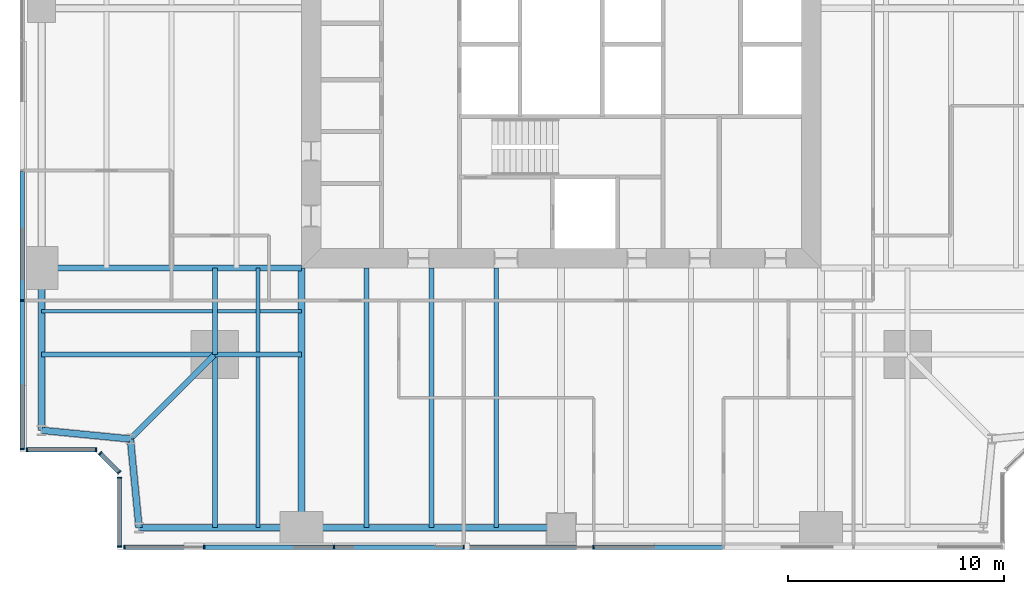
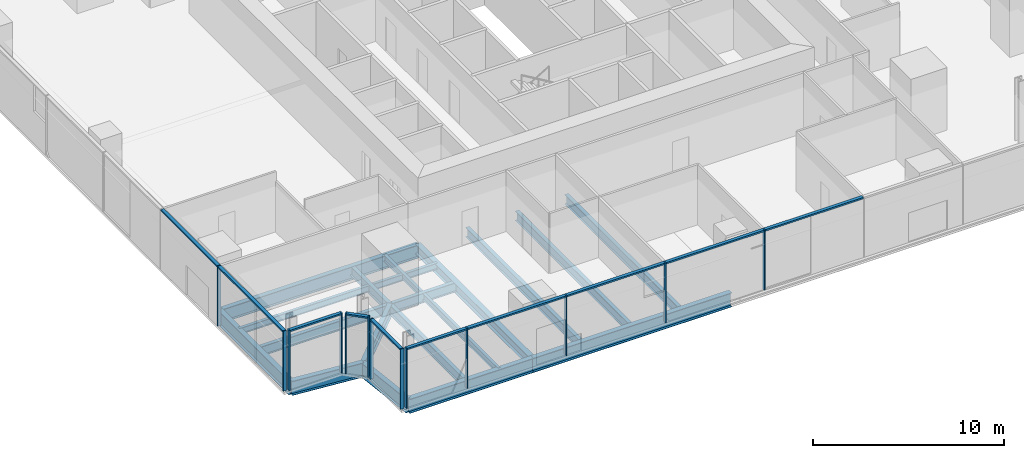
# One storey, part 2 of 14: 23 members, 20 beams, 5 elements without a shape of their own.
"""IFC4 building model written with IfcOpenShell, lengths in metres."""

import ifcopenshell
import ifcopenshell.guid

model = None  # the IFC model being written
_history = None  # IfcOwnerHistory: only IFC2X3 demands one
_inside = {}  # id of a spatial element -> (the spatial element, [elements in it])
_under = {}  # id of a project, library or spatial element -> (it, [spatial elements below it])
_declared = {}  # id of a project -> (the project, [libraries it declares])
_typed = {}  # id of a type object -> (the type object, [elements of that type])
_made_of = {}  # id of a material, layer set ... -> (it, [elements and type objects made of it])


def new_model(schema):
    """Start an empty IFC model of exactly this schema.

    Asked for "IFC4X3", IfcOpenShell would pick the latest addendum, in which some entities
    have other attributes; the version numbers below select the first issue.
    IFC2X3 requires an IfcOwnerHistory on every rooted entity: one is made here for all.
    """
    global model, _history
    if schema == "IFC4X3":
        model = ifcopenshell.file(schema_version=(4, 3, 0, 0))
    else:
        model = ifcopenshell.file(schema=schema)
    _inside.clear()
    _under.clear()
    _declared.clear()
    _typed.clear()
    _made_of.clear()
    _history = None
    if model.schema == "IFC2X3":
        org = make("IfcOrganization", Name="unknown")
        user = make(
            "IfcPersonAndOrganization",
            ThePerson=make("IfcPerson", FamilyName="unknown"),
            TheOrganization=org,
        )
        app = make(
            "IfcApplication",
            ApplicationDeveloper=org,
            Version="unknown",
            ApplicationFullName="unknown",
            ApplicationIdentifier="unknown",
        )
        _history = make(
            "IfcOwnerHistory",
            OwningUser=user,
            OwningApplication=app,
            ChangeAction="ADDED",
            CreationDate=0,
        )
    return model


def make(cls, **values):
    """One entity of the class cls with the attributes given. An attribute that is None is left unset."""
    return model.create_entity(
        cls, **{name: value for name, value in values.items() if value is not None}
    )


def rooted(cls, **values):
    """An entity with a GlobalId (a new one), such as an element, a storey or a relation."""
    return make(cls, GlobalId=ifcopenshell.guid.new(), OwnerHistory=_history, **values)


def si_unit(unit_type, name, prefix=None):
    """IfcSIUnit, for example si_unit("LENGTHUNIT", "METRE", prefix="MILLI")."""
    return make("IfcSIUnit", UnitType=unit_type, Prefix=prefix, Name=name)


def assignment(units):
    """IfcUnitAssignment: the units of a project."""
    return None if units is None else make("IfcUnitAssignment", Units=units)


def point(xyz):
    """IfcCartesianPoint."""
    return None if xyz is None else make("IfcCartesianPoint", Coordinates=xyz)


def direction(xyz):
    """IfcDirection."""
    return None if xyz is None else make("IfcDirection", DirectionRatios=xyz)


def frame(location, z_axis=None, x_axis=None):
    """IfcAxis2Placement3D, a coordinate frame: its origin and axes. An axis left out is left unset."""
    return make(
        "IfcAxis2Placement3D",
        Location=point(location),
        Axis=direction(z_axis),
        RefDirection=direction(x_axis),
    )


def frame_2d(location, x_axis=None):
    """IfcAxis2Placement2D, a coordinate frame in the plane: its origin and x axis."""
    return make(
        "IfcAxis2Placement2D", Location=point(location), RefDirection=direction(x_axis)
    )


def origin():
    """The frame at (0, 0, 0) with its axes left unset."""
    return frame((0.0, 0.0, 0.0))


def origin_2d():
    """The frame at (0, 0) in the plane with its x axis left unset."""
    return frame_2d((0.0, 0.0))


def place(relative_to, where):
    """IfcLocalPlacement: puts the frame where relative to a parent placement (None: the world)."""
    return make(
        "IfcLocalPlacement", PlacementRelTo=relative_to, RelativePlacement=where
    )


def context(
    kind, dimensions, precision=None, world=None, true_north=None, identifier=None
):
    """IfcGeometricRepresentationContext, for example the 3D "Model" context."""
    return make(
        "IfcGeometricRepresentationContext",
        ContextIdentifier=identifier,
        ContextType=kind,
        CoordinateSpaceDimension=dimensions,
        Precision=precision,
        WorldCoordinateSystem=world,
        TrueNorth=true_north,
    )


def subcontext(parent, identifier, kind, view, scale=None):
    """IfcGeometricRepresentationSubContext, for example "Body" below "Model"."""
    return make(
        "IfcGeometricRepresentationSubContext",
        ContextIdentifier=identifier,
        ContextType=kind,
        ParentContext=parent,
        TargetScale=scale,
        TargetView=view,
    )


def project(units=None, contexts=None):
    """IfcProject with its units and contexts."""
    return rooted(
        "IfcProject",
        Name="project",
        RepresentationContexts=contexts,
        UnitsInContext=assignment(units),
    )


def spatial(cls, under=None, at=None, **own):
    """A site, building, storey or space (cls), placed at a placement, below another one or the project."""
    s = rooted(cls, ObjectPlacement=at, **own)
    if under is not None:
        _under.setdefault(under.id(), (under, []))[1].append(s)
    return s


def profile(cls, at=None, kind="AREA", **sizes):
    """A parametric profile (cls). Its sizes go by their IFC names, for example OverallWidth=200.0."""
    return make(cls, ProfileType=kind, Position=at, **sizes)


def rectangle(**sizes):
    """IfcRectangleProfileDef."""
    return profile("IfcRectangleProfileDef", **sizes)


def i_section(**sizes):
    """IfcIShapeProfileDef."""
    return profile("IfcIShapeProfileDef", **sizes)


def extrude(swept, where, along, depth):
    """IfcExtrudedAreaSolid: the profile swept, set in the frame where, extruded along a direction by depth."""
    return make(
        "IfcExtrudedAreaSolid",
        SweptArea=swept,
        Position=where,
        ExtrudedDirection=direction(along),
        Depth=depth,
    )


def shape(context_of_items, identifier, shape_type, items):
    """IfcShapeRepresentation: the items that make up one representation, for example the "Body"."""
    return make(
        "IfcShapeRepresentation",
        ContextOfItems=context_of_items,
        RepresentationIdentifier=identifier,
        RepresentationType=shape_type,
        Items=items,
    )


def material(Name=None, Category=None):
    """IfcMaterial."""
    return make("IfcMaterial", Name=Name, Category=Category)


def material_profile(
    of_material, cross_section, Name=None, Category=None, Priority=None
):
    """IfcMaterialProfile: a cross section and its material."""
    return make(
        "IfcMaterialProfile",
        Name=Name,
        Material=of_material,
        Profile=cross_section,
        Priority=Priority,
        Category=Category,
    )


def profile_set(profiles, Name=None, composite=None):
    """IfcMaterialProfileSet."""
    return make(
        "IfcMaterialProfileSet",
        Name=Name,
        MaterialProfiles=profiles,
        CompositeProfile=composite,
    )


def made_of(thing, what):
    """Note that an element or type object is made of a material, layer set ...; save() writes the relation."""
    if what is not None:
        _made_of.setdefault(what.id(), (what, []))[1].append(thing)
    return thing


def type_object(cls, material=None, **own):
    """A type object (cls), such as IfcWallType, which elements share."""
    return made_of(rooted(cls, **own), material)


def element(
    cls,
    number,
    at=None,
    inside=None,
    cuts=None,
    type_object=None,
    material=None,
    context=None,
    identifier="Body",
    shape_type=None,
    held_by="IfcProductDefinitionShape",
    body=None,
    shapes=None,
    **own,
):
    """One element of the class cls, such as IfcWall. Its Tag is "e" and its number.

    at: its placement. inside: the storey or other place that contains it. cuts: it is an
    opening in that element (IfcRelVoidsElement). A single representation is given by context,
    identifier, shape_type and body (its items); several are given by shapes. held_by: the class
    of the entity that holds the representations. save() writes the other relations.
    """
    e = rooted(cls, Tag="e%d" % number, ObjectPlacement=at, **own)
    if body is not None:
        shapes = [shape(context, identifier, shape_type, body)]
    if shapes is not None:
        e.Representation = make(held_by, Representations=shapes)
    if inside is not None:
        _inside.setdefault(inside.id(), (inside, []))[1].append(e)
    if cuts is not None:
        rooted(
            "IfcRelVoidsElement", RelatingBuildingElement=cuts, RelatedOpeningElement=e
        )
    if type_object is not None:
        _typed.setdefault(type_object.id(), (type_object, []))[1].append(e)
    return made_of(e, material)


def aggregate(whole, parts):
    """IfcRelAggregates: a whole, such as a stair, and the parts it consists of."""
    return rooted("IfcRelAggregates", RelatingObject=whole, RelatedObjects=parts)


def save(model, path):
    """Write the relations noted so far, then the file.

    IfcRelAggregates (storeys below a building ...), IfcRelContainedInSpatialStructure (elements
    in a storey), IfcRelDefinesByType, IfcRelAssociatesMaterial and IfcRelDeclares: one each for
    every whole, place, type object, material and project.
    """
    for whole, parts in _under.values():
        aggregate(whole, parts)
    for where, things in _inside.values():
        rooted(
            "IfcRelContainedInSpatialStructure",
            RelatedElements=things,
            RelatingStructure=where,
        )
    for kind, things in _typed.values():
        rooted("IfcRelDefinesByType", RelatedObjects=things, RelatingType=kind)
    for what, things in _made_of.values():
        rooted("IfcRelAssociatesMaterial", RelatedObjects=things, RelatingMaterial=what)
    for by, libraries in _declared.values():
        rooted("IfcRelDeclares", RelatingContext=by, RelatedDefinitions=libraries)
    model.write(path)


model = new_model("IFC4")

# Units and contexts
model_context = context("Model", 3, precision=1e-05, world=origin(), true_north=direction((0.0, 1.0)))
body_context = subcontext(model_context, "Body", "Model", "MODEL_VIEW")
ifc_project = project(units=[si_unit("LENGTHUNIT", "METRE"), si_unit("AREAUNIT", "SQUARE_METRE"), si_unit("VOLUMEUNIT", "CUBIC_METRE"), si_unit("PLANEANGLEUNIT", "RADIAN"), si_unit("MASSUNIT", "GRAM", prefix="KILO")], contexts=[model_context])

# Site, building, storey
site_placement = place(None, origin())
site = spatial("IfcSite", under=ifc_project, at=site_placement, CompositionType="ELEMENT")
building_placement = place(site_placement, origin())
building = spatial("IfcBuilding", under=site, at=building_placement, Name="Fenwick Lantern Interchange", CompositionType="ELEMENT")
storey_placement = place(building_placement, frame((0.0, 0.0, 154.39990234375)))
storey = spatial("IfcBuildingStorey", under=building, at=storey_placement, Name="L36", CompositionType="ELEMENT", Elevation=154.39990234375)

# Beams
ifc_material_1 = material(Name="Steel ASTM A992 Grade 50", Category="steel")
ifc_material_profile_1 = material_profile(ifc_material_1, i_section(OverallWidth=0.3046875, OverallDepth=0.911865234375, WebThickness=0.015869140625, FlangeThickness=0.02392578125, at=origin_2d()), Name="W36X150")
ifc_profile_set_1 = profile_set([ifc_material_profile_1], Name="Steel ASTM A992 Grade 50")
beam_type_1 = type_object("IfcBeamType", Name="EDGE BEAM W36X150", PredefinedType="SPANDREL", material=ifc_profile_set_1)
beam_1_placement = place(storey_placement, frame((5.5, 1.0, -0.605712890625), z_axis=(1.0, 0.0, 0.0), x_axis=(0.0, 1.0, 0.0)))
element("IfcBeam", 1, at=beam_1_placement, inside=storey, type_object=beam_type_1, Name="L36/FR/S/EB1", PredefinedType="SPANDREL", context=body_context, shape_type="SweptSolid", body=[
    extrude(i_section(OverallWidth=0.3046875, OverallDepth=0.911865234375, WebThickness=0.015869140625, FlangeThickness=0.02392578125, at=origin_2d()), origin(), (0.0, 0.0, 1.0), 7.5),
])
beam_2_placement = place(storey_placement, frame((13.0, 1.0, -0.605712890625), z_axis=(1.0, 0.0, 0.0), x_axis=(0.0, 1.0, 0.0)))
element("IfcBeam", 2, at=beam_2_placement, inside=storey, type_object=beam_type_1, Name="L36/FR/S/EB2", PredefinedType="SPANDREL", context=body_context, shape_type="SweptSolid", body=[
    extrude(i_section(OverallWidth=0.3046875, OverallDepth=0.911865234375, WebThickness=0.015869140625, FlangeThickness=0.02392578125, at=origin_2d()), origin(), (0.0, 0.0, 1.0), 12.0),
])
beam_3_placement = place(storey_placement, frame((1.0, 13.0, -0.605712890625), z_axis=(0.0, -1.0, 0.0), x_axis=(1.0, 0.0, 0.0)))
element("IfcBeam", 3, at=beam_3_placement, inside=storey, type_object=beam_type_1, Name="L36/FR/W/EB4", PredefinedType="SPANDREL", context=body_context, shape_type="SweptSolid", body=[
    extrude(i_section(OverallWidth=0.3046875, OverallDepth=0.911865234375, WebThickness=0.015869140625, FlangeThickness=0.02392578125, at=origin_2d()), origin(), (0.0, 0.0, 1.0), 7.5),
])
for number, where, z_axis, x_axis, name in (
    (4, (1.0, 5.5, -0.605712890625), (0.995277148028, -0.097074191287, 0.0), (0.097074191287, 0.995277148028, 0.0), "L36/FR/W/EBR1"),
    (5, (5.10009765625, 5.10009765625, -0.605712890625), (0.097074191287, -0.995277148028, 0.0), (0.995277148028, 0.097074191287, 0.0), "L36/FR/W/EBR2"),
):
    element("IfcBeam", number, at=place(storey_placement, frame(where, z_axis=z_axis, x_axis=x_axis)), inside=storey, type_object=beam_type_1, Name=name, PredefinedType="SPANDREL", context=body_context, shape_type="SweptSolid", body=[
        extrude(i_section(OverallWidth=0.3046875, OverallDepth=0.911865234375, WebThickness=0.015869140625, FlangeThickness=0.02392578125, at=origin_2d()), origin(), (0.0, 0.0, 1.0), 4.11962890625),
    ])
ifc_material_profile_2 = material_profile(ifc_material_1, i_section(OverallWidth=0.22900390625, OverallDepth=0.612060546875, WebThickness=0.011962890625, FlangeThickness=0.01953125, at=origin_2d()), Name="W24X84")
ifc_profile_set_2 = profile_set([ifc_material_profile_2], Name="Steel ASTM A992 Grade 50")
beam_type_2 = type_object("IfcBeamType", Name="FLOOR BEAM W24X84", PredefinedType="BEAM", material=ifc_profile_set_2)
for number, where, z_axis, x_axis, name in (
    (6, (16.0, 1.0, -0.4560546875), (0.0, 1.0, 0.0), (-1.0, 0.0, 0.0), "L36/FR/S/R02"),
    (7, (19.0, 1.0, -0.4560546875), (0.0, 1.0, 0.0), (-1.0, 0.0, 0.0), "L36/FR/S/R03"),
    (8, (22.0, 1.0, -0.4560546875), (0.0, 1.0, 0.0), (-1.0, 0.0, 0.0), "L36/FR/S/R04"),
):
    element("IfcBeam", number, at=place(storey_placement, frame(where, z_axis=z_axis, x_axis=x_axis)), inside=storey, type_object=beam_type_2, Name=name, PredefinedType="BEAM", context=body_context, shape_type="SweptSolid", body=[
        extrude(i_section(OverallWidth=0.22900390625, OverallDepth=0.612060546875, WebThickness=0.011962890625, FlangeThickness=0.01953125, at=origin_2d()), origin(), (0.0, 0.0, 1.0), 12.0),
    ])
ifc_material_profile_3 = material_profile(ifc_material_1, i_section(OverallWidth=0.177734375, OverallDepth=0.406494140625, WebThickness=0.0078125, FlangeThickness=0.012939453125, at=origin_2d()), Name="W16X40")
ifc_profile_set_3 = profile_set([ifc_material_profile_3], Name="Steel ASTM A992 Grade 50")
beam_type_3 = type_object("IfcBeamType", Name="INFILL BEAM W16X40", PredefinedType="JOIST", material=ifc_profile_set_3)
beam_4_placement = place(storey_placement, frame((11.0, 1.0, -0.35302734375), z_axis=(0.0, 1.0, 0.0), x_axis=(-1.0, 0.0, 0.0)))
element("IfcBeam", 9, at=beam_4_placement, inside=storey, type_object=beam_type_3, Name="L36/FR/S/J1", PredefinedType="JOIST", context=body_context, shape_type="SweptSolid", body=[
    extrude(i_section(OverallWidth=0.177734375, OverallDepth=0.406494140625, WebThickness=0.0078125, FlangeThickness=0.012939453125, at=origin_2d()), origin(), (0.0, 0.0, 1.0), 7.885498046875),
])
beam_5_placement = place(storey_placement, frame((11.0, 9.114501953125, -0.35302734375), z_axis=(0.0, 1.0, 0.0), x_axis=(-1.0, 0.0, 0.0)))
element("IfcBeam", 10, at=beam_5_placement, inside=storey, type_object=beam_type_3, Name="L36/FR/S/J2", PredefinedType="JOIST", context=body_context, shape_type="SweptSolid", body=[
    extrude(i_section(OverallWidth=0.177734375, OverallDepth=0.406494140625, WebThickness=0.0078125, FlangeThickness=0.012939453125, at=origin_2d()), origin(), (0.0, 0.0, 1.0), 3.885498046875),
])
beam_6_placement = place(storey_placement, frame((1.0, 11.0, -0.35302734375), z_axis=(1.0, 0.0, 0.0), x_axis=(0.0, 1.0, 0.0)))
element("IfcBeam", 11, at=beam_6_placement, inside=storey, type_object=beam_type_3, Name="L36/FR/S/J3", PredefinedType="JOIST", context=body_context, shape_type="SweptSolid", body=[
    extrude(i_section(OverallWidth=0.177734375, OverallDepth=0.406494140625, WebThickness=0.0078125, FlangeThickness=0.012939453125, at=origin_2d()), origin(), (0.0, 0.0, 1.0), 7.885498046875),
])
beam_7_placement = place(storey_placement, frame((9.114501953125, 11.0, -0.35302734375), z_axis=(1.0, 0.0, 0.0), x_axis=(0.0, 1.0, 0.0)))
element("IfcBeam", 12, at=beam_7_placement, inside=storey, type_object=beam_type_3, Name="L36/FR/S/J4", PredefinedType="JOIST", context=body_context, shape_type="SweptSolid", body=[
    extrude(i_section(OverallWidth=0.177734375, OverallDepth=0.406494140625, WebThickness=0.0078125, FlangeThickness=0.012939453125, at=origin_2d()), origin(), (0.0, 0.0, 1.0), 1.796630859375),
])
beam_8_placement = place(storey_placement, frame((11.0888671875, 11.0, -0.35302734375), z_axis=(1.0, 0.0, 0.0), x_axis=(0.0, 1.0, 0.0)))
element("IfcBeam", 13, at=beam_8_placement, inside=storey, type_object=beam_type_3, Name="L36/FR/S/J5", PredefinedType="JOIST", context=body_context, shape_type="SweptSolid", body=[
    extrude(i_section(OverallWidth=0.177734375, OverallDepth=0.406494140625, WebThickness=0.0078125, FlangeThickness=0.012939453125, at=origin_2d()), origin(), (0.0, 0.0, 1.0), 1.9111328125),
])
ifc_material_profile_4 = material_profile(ifc_material_1, i_section(OverallWidth=0.22900390625, OverallDepth=0.612060546875, WebThickness=0.011962890625, FlangeThickness=0.01953125, at=origin_2d()), Name="W24X84")
ifc_profile_set_4 = profile_set([ifc_material_profile_4], Name="Steel ASTM A992 Grade 50")
beam_type_4 = type_object("IfcBeamType", Name="MEGA COLUMN BEAM W24X84", PredefinedType="BEAM", material=ifc_profile_set_4)
for number, where, z_axis, x_axis, name in (
    (14, (9.0, 9.0, -0.4560546875), (0.0, -1.0, 0.0), (1.0, 0.0, 0.0), "L36/FR/S/MB1"),
    (15, (9.0, 9.0, -0.4560546875), (-1.0, 0.0, 0.0), (0.0, -1.0, 0.0), "L36/FR/S/MB2"),
):
    element("IfcBeam", number, at=place(storey_placement, frame(where, z_axis=z_axis, x_axis=x_axis)), inside=storey, type_object=beam_type_4, Name=name, PredefinedType="BEAM", context=body_context, shape_type="SweptSolid", body=[
        extrude(i_section(OverallWidth=0.22900390625, OverallDepth=0.612060546875, WebThickness=0.011962890625, FlangeThickness=0.01953125, at=origin_2d()), origin(), (0.0, 0.0, 1.0), 8.0),
    ])
for number, where, z_axis, x_axis, name in (
    (16, (9.0, 9.0, -0.4560546875), (1.0, 0.0, 0.0), (0.0, 1.0, 0.0), "L36/FR/S/MB3"),
    (17, (9.0, 9.0, -0.4560546875), (0.0, 1.0, 0.0), (-1.0, 0.0, 0.0), "L36/FR/S/MB4"),
):
    element("IfcBeam", number, at=place(storey_placement, frame(where, z_axis=z_axis, x_axis=x_axis)), inside=storey, type_object=beam_type_4, Name=name, PredefinedType="BEAM", context=body_context, shape_type="SweptSolid", body=[
        extrude(i_section(OverallWidth=0.22900390625, OverallDepth=0.612060546875, WebThickness=0.011962890625, FlangeThickness=0.01953125, at=origin_2d()), origin(), (0.0, 0.0, 1.0), 4.0),
    ])
ifc_material_profile_5 = material_profile(ifc_material_1, i_section(OverallWidth=0.32763671875, OverallDepth=0.622314453125, WebThickness=0.015380859375, FlangeThickness=0.0244140625, at=origin_2d()), Name="W24X131")
ifc_profile_set_5 = profile_set([ifc_material_profile_5], Name="Steel ASTM A992 Grade 50")
beam_type_5 = type_object("IfcBeamType", Name="MOMENT-CONNECTED GIRDER W24X131", PredefinedType="BEAM", material=ifc_profile_set_5)
beam_9_placement = place(storey_placement, frame((13.0, 1.0, -0.4609375), z_axis=(0.0, 1.0, 0.0), x_axis=(-1.0, 0.0, 0.0)))
element("IfcBeam", 18, at=beam_9_placement, inside=storey, type_object=beam_type_5, Name="L36/FR/S/R01", PredefinedType="BEAM", context=body_context, shape_type="SweptSolid", body=[
    extrude(i_section(OverallWidth=0.32763671875, OverallDepth=0.622314453125, WebThickness=0.015380859375, FlangeThickness=0.0244140625, at=origin_2d()), origin(), (0.0, 0.0, 1.0), 12.0),
])
ifc_material_profile_6 = material_profile(ifc_material_1, i_section(OverallWidth=0.2919921875, OverallDepth=0.845703125, WebThickness=0.015380859375, FlangeThickness=0.0244140625, at=origin_2d()), Name="W33X141")
ifc_profile_set_6 = profile_set([ifc_material_profile_6], Name="Steel ASTM A992 Grade 50")
beam_type_6 = type_object("IfcBeamType", Name="MOMENT-CONNECTED GIRDER W33X141", PredefinedType="BEAM", material=ifc_profile_set_6)
beam_10_placement = place(storey_placement, frame((1.0, 13.0, -0.57275390625), z_axis=(1.0, 0.0, 0.0), x_axis=(0.0, 1.0, 0.0)))
element("IfcBeam", 19, at=beam_10_placement, inside=storey, type_object=beam_type_6, Name="L36/FR/W/R03", PredefinedType="BEAM", context=body_context, shape_type="SweptSolid", body=[
    extrude(i_section(OverallWidth=0.2919921875, OverallDepth=0.845703125, WebThickness=0.015380859375, FlangeThickness=0.0244140625, at=origin_2d()), origin(), (0.0, 0.0, 1.0), 12.0),
])
ifc_material_profile_7 = material_profile(ifc_material_1, i_section(OverallWidth=0.2666015625, OverallDepth=0.7568359375, WebThickness=0.013916015625, FlangeThickness=0.019287109375, at=origin_2d()), Name="W30X108")
ifc_profile_set_7 = profile_set([ifc_material_profile_7], Name="Steel ASTM A992 Grade 50")
beam_type_7 = type_object("IfcBeamType", Name="NOTCH BEAM W30X108", PredefinedType="BEAM", material=ifc_profile_set_7)
beam_11_placement = place(storey_placement, frame((9.0, 9.0, -0.5283203125), z_axis=(-0.707106781187, -0.707106781187, 0.0), x_axis=(0.707106781187, -0.707106781187, 0.0)))
element("IfcBeam", 20, at=beam_11_placement, inside=storey, type_object=beam_type_7, Name="L36/FR/S/TG", PredefinedType="BEAM", context=body_context, shape_type="SweptSolid", body=[
    extrude(i_section(OverallWidth=0.2666015625, OverallDepth=0.7568359375, WebThickness=0.013916015625, FlangeThickness=0.019287109375, at=origin_2d()), origin(), (0.0, 0.0, 1.0), 5.515380859375),
])

# Curtain wall, members
ifc_material_2 = material(Name="Aluminium curtain wall frame", Category="aluminium")
curtain_wall_type = type_object("IfcCurtainWallType", Name="OFFICE CURTAIN WALL", PredefinedType="USERDEFINED", material=ifc_material_2)
curtain_wall_1_placement = place(storey_placement, origin())
curtain_wall_1 = element("IfcCurtainWall", 21, at=curtain_wall_1_placement, inside=storey, type_object=curtain_wall_type, Name="Office curtain wall 01", ObjectType="OFFICE CURTAIN WALL", PredefinedType="USERDEFINED")
ifc_material_3 = material(Name="Aluminium extrusion", Category="aluminium")
ifc_material_profile_8 = material_profile(ifc_material_3, rectangle(XDim=0.199951171875, YDim=0.06494140625, at=origin_2d()), Name="OFFICE CURTAIN WALL MULLION 65 X 200")
ifc_profile_set_8 = profile_set([ifc_material_profile_8], Name="Aluminium extrusion")
member_type_1 = type_object("IfcMemberType", Name="OFFICE CURTAIN WALL MULLION 65 X 200", PredefinedType="MULLION", material=ifc_profile_set_8)
member_1_placement = place(storey_placement, frame((4.83251953125, 0.10009765625, 0.0), z_axis=(0.0, 0.0, 1.0), x_axis=(0.0, 1.0, 0.0)))
member_1 = element("IfcMember", 22, at=member_1_placement, type_object=member_type_1, Name="L36/CW/01/M00", PredefinedType="MULLION", context=body_context, shape_type="SweptSolid", body=[
    extrude(rectangle(XDim=0.199951171875, YDim=0.06494140625, at=origin_2d()), origin(), (0.0, 0.0, 1.0), 3.85009765625),
])
member_2_placement = place(storey_placement, frame((8.5, 0.10009765625, 0.0), z_axis=(0.0, 0.0, 1.0), x_axis=(0.0, 1.0, 0.0)))
member_2 = element("IfcMember", 23, at=member_2_placement, type_object=member_type_1, Name="L36/CW/01/M01", PredefinedType="MULLION", context=body_context, shape_type="SweptSolid", body=[
    extrude(rectangle(XDim=0.199951171875, YDim=0.06494140625, at=origin_2d()), origin(), (0.0, 0.0, 1.0), 3.85009765625),
])
member_3_placement = place(storey_placement, frame((14.5, 0.10009765625, 0.0), z_axis=(0.0, 0.0, 1.0), x_axis=(0.0, 1.0, 0.0)))
member_3 = element("IfcMember", 24, at=member_3_placement, type_object=member_type_1, Name="L36/CW/01/M02", PredefinedType="MULLION", context=body_context, shape_type="SweptSolid", body=[
    extrude(rectangle(XDim=0.199951171875, YDim=0.06494140625, at=origin_2d()), origin(), (0.0, 0.0, 1.0), 3.85009765625),
])
member_4_placement = place(storey_placement, frame((20.5, 0.10009765625, 0.0), z_axis=(0.0, 0.0, 1.0), x_axis=(0.0, 1.0, 0.0)))
member_4 = element("IfcMember", 25, at=member_4_placement, type_object=member_type_1, Name="L36/CW/01/M03", PredefinedType="MULLION", context=body_context, shape_type="SweptSolid", body=[
    extrude(rectangle(XDim=0.199951171875, YDim=0.06494140625, at=origin_2d()), origin(), (0.0, 0.0, 1.0), 3.85009765625),
])
member_5_placement = place(storey_placement, frame((26.5, 0.10009765625, 0.0), z_axis=(0.0, 0.0, 1.0), x_axis=(0.0, 1.0, 0.0)))
member_5 = element("IfcMember", 26, at=member_5_placement, type_object=member_type_1, Name="L36/CW/01/M04", PredefinedType="MULLION", context=body_context, shape_type="SweptSolid", body=[
    extrude(rectangle(XDim=0.199951171875, YDim=0.06494140625, at=origin_2d()), origin(), (0.0, 0.0, 1.0), 3.85009765625),
])

curtain_wall_2_placement = place(storey_placement, origin())
curtain_wall_2 = element("IfcCurtainWall", 27, at=curtain_wall_2_placement, inside=storey, type_object=curtain_wall_type, Name="Office curtain wall 13", ObjectType="OFFICE CURTAIN WALL", PredefinedType="USERDEFINED")
member_6_placement = place(storey_placement, frame((0.10009765625, 11.5, 0.0), z_axis=(0.0, 0.0, 1.0), x_axis=(1.0, 0.0, 0.0)))
member_6 = element("IfcMember", 28, at=member_6_placement, type_object=member_type_1, Name="L36/CW/13/M06", PredefinedType="MULLION", context=body_context, shape_type="SweptSolid", body=[
    extrude(rectangle(XDim=0.199951171875, YDim=0.06494140625, at=origin_2d()), origin(), (0.0, 0.0, 1.0), 3.85009765625),
])
member_7_placement = place(storey_placement, frame((0.10009765625, 4.632568359375, 0.0), z_axis=(0.0, 0.0, 1.0), x_axis=(1.0, 0.0, 0.0)))
member_7 = element("IfcMember", 29, at=member_7_placement, type_object=member_type_1, Name="L36/CW/13/M07", PredefinedType="MULLION", context=body_context, shape_type="SweptSolid", body=[
    extrude(rectangle(XDim=0.199951171875, YDim=0.06494140625, at=origin_2d()), origin(), (0.0, 0.0, 1.0), 3.85009765625),
])

curtain_wall_3_placement = place(storey_placement, origin())
curtain_wall_3 = element("IfcCurtainWall", 30, at=curtain_wall_3_placement, inside=storey, type_object=curtain_wall_type, Name="Office curtain wall 14", ObjectType="OFFICE CURTAIN WALL", PredefinedType="USERDEFINED")
member_8_placement = place(storey_placement, frame((0.33251953125, 4.60009765625, 0.0), z_axis=(0.0, 0.0, 1.0), x_axis=(0.0, 1.0, 0.0)))
member_8 = element("IfcMember", 31, at=member_8_placement, type_object=member_type_1, Name="L36/CW/14/M00", PredefinedType="MULLION", context=body_context, shape_type="SweptSolid", body=[
    extrude(rectangle(XDim=0.199951171875, YDim=0.06494140625, at=origin_2d()), origin(), (0.0, 0.0, 1.0), 3.85009765625),
])
member_9_placement = place(storey_placement, frame((3.509033203125, 4.60009765625, 0.0), z_axis=(0.0, 0.0, 1.0), x_axis=(0.0, 1.0, 0.0)))
member_9 = element("IfcMember", 32, at=member_9_placement, type_object=member_type_1, Name="L36/CW/14/M01", PredefinedType="MULLION", context=body_context, shape_type="SweptSolid", body=[
    extrude(rectangle(XDim=0.199951171875, YDim=0.06494140625, at=origin_2d()), origin(), (0.0, 0.0, 1.0), 3.85009765625),
])

curtain_wall_4_placement = place(storey_placement, origin())
curtain_wall_4 = element("IfcCurtainWall", 33, at=curtain_wall_4_placement, inside=storey, type_object=curtain_wall_type, Name="Office curtain wall 15", ObjectType="OFFICE CURTAIN WALL", PredefinedType="USERDEFINED")
member_10_placement = place(storey_placement, frame((3.705810546875, 4.435546875, 0.0), z_axis=(0.0, 0.0, 1.0), x_axis=(0.707106781187, 0.707106781187, 0.0)))
member_10 = element("IfcMember", 34, at=member_10_placement, type_object=member_type_1, Name="L36/CW/15/M00", PredefinedType="MULLION", context=body_context, shape_type="SweptSolid", body=[
    extrude(rectangle(XDim=0.199951171875, YDim=0.06494140625, at=origin_2d()), origin(), (0.0, 0.0, 1.0), 3.85009765625),
])
member_11_placement = place(storey_placement, frame((4.576904296875, 3.564453125, 0.0), z_axis=(0.0, 0.0, 1.0), x_axis=(0.707106781187, 0.707106781187, 0.0)))
member_11 = element("IfcMember", 35, at=member_11_placement, type_object=member_type_1, Name="L36/CW/15/M01", PredefinedType="MULLION", context=body_context, shape_type="SweptSolid", body=[
    extrude(rectangle(XDim=0.199951171875, YDim=0.06494140625, at=origin_2d()), origin(), (0.0, 0.0, 1.0), 3.85009765625),
])

curtain_wall_5_placement = place(storey_placement, origin())
curtain_wall_5 = element("IfcCurtainWall", 36, at=curtain_wall_5_placement, inside=storey, type_object=curtain_wall_type, Name="Office curtain wall 16", ObjectType="OFFICE CURTAIN WALL", PredefinedType="USERDEFINED")
member_12_placement = place(storey_placement, frame((4.60009765625, 3.308837890625, 0.0), z_axis=(0.0, 0.0, 1.0), x_axis=(1.0, 0.0, 0.0)))
member_12 = element("IfcMember", 37, at=member_12_placement, type_object=member_type_1, Name="L36/CW/16/M00", PredefinedType="MULLION", context=body_context, shape_type="SweptSolid", body=[
    extrude(rectangle(XDim=0.199951171875, YDim=0.06494140625, at=origin_2d()), origin(), (0.0, 0.0, 1.0), 3.85009765625),
])
member_13_placement = place(storey_placement, frame((4.60009765625, 0.132568359375, 0.0), z_axis=(0.0, 0.0, 1.0), x_axis=(1.0, 0.0, 0.0)))
member_13 = element("IfcMember", 38, at=member_13_placement, type_object=member_type_1, Name="L36/CW/16/M01", PredefinedType="MULLION", context=body_context, shape_type="SweptSolid", body=[
    extrude(rectangle(XDim=0.199951171875, YDim=0.06494140625, at=origin_2d()), origin(), (0.0, 0.0, 1.0), 3.85009765625),
])

# Member
ifc_material_profile_9 = material_profile(ifc_material_3, rectangle(XDim=0.199951171875, YDim=0.10009765625, at=origin_2d()), Name="OFFICE CURTAIN WALL TRANSOM 100 X 200")
ifc_profile_set_9 = profile_set([ifc_material_profile_9], Name="Aluminium extrusion")
member_type_2 = type_object("IfcMemberType", Name="OFFICE CURTAIN WALL TRANSOM 100 X 200", PredefinedType="MULLION", material=ifc_profile_set_9)
member_14_placement = place(storey_placement, frame((4.864990234375, 0.10009765625, 3.800048828125), z_axis=(1.0, 0.0, 0.0), x_axis=(0.0, 1.0, 0.0)))
member_14 = element("IfcMember", 39, at=member_14_placement, type_object=member_type_2, Name="L36/CW/01/T00", PredefinedType="MULLION", context=body_context, shape_type="SweptSolid", body=[
    extrude(rectangle(XDim=0.199951171875, YDim=0.10009765625, at=origin_2d()), origin(), (0.0, 0.0, 1.0), 3.6025390625),
])

member_15_placement = place(storey_placement, frame((8.532470703125, 0.10009765625, 3.800048828125), z_axis=(1.0, 0.0, 0.0), x_axis=(0.0, 1.0, 0.0)))
member_15 = element("IfcMember", 40, at=member_15_placement, type_object=member_type_2, Name="L36/CW/01/T01", PredefinedType="MULLION", context=body_context, shape_type="SweptSolid", body=[
    extrude(rectangle(XDim=0.199951171875, YDim=0.10009765625, at=origin_2d()), origin(), (0.0, 0.0, 1.0), 5.93505859375),
])

member_16_placement = place(storey_placement, frame((14.532470703125, 0.10009765625, 3.800048828125), z_axis=(1.0, 0.0, 0.0), x_axis=(0.0, 1.0, 0.0)))
member_16 = element("IfcMember", 41, at=member_16_placement, type_object=member_type_2, Name="L36/CW/01/T02", PredefinedType="MULLION", context=body_context, shape_type="SweptSolid", body=[
    extrude(rectangle(XDim=0.199951171875, YDim=0.10009765625, at=origin_2d()), origin(), (0.0, 0.0, 1.0), 5.93505859375),
])

member_17_placement = place(storey_placement, frame((20.532470703125, 0.10009765625, 3.800048828125), z_axis=(1.0, 0.0, 0.0), x_axis=(0.0, 1.0, 0.0)))
member_17 = element("IfcMember", 42, at=member_17_placement, type_object=member_type_2, Name="L36/CW/01/T03", PredefinedType="MULLION", context=body_context, shape_type="SweptSolid", body=[
    extrude(rectangle(XDim=0.199951171875, YDim=0.10009765625, at=origin_2d()), origin(), (0.0, 0.0, 1.0), 5.93505859375),
])

member_18_placement = place(storey_placement, frame((26.532470703125, 0.10009765625, 3.800048828125), z_axis=(1.0, 0.0, 0.0), x_axis=(0.0, 1.0, 0.0)))
member_18 = element("IfcMember", 43, at=member_18_placement, type_object=member_type_2, Name="L36/CW/01/T04", PredefinedType="MULLION", context=body_context, shape_type="SweptSolid", body=[
    extrude(rectangle(XDim=0.199951171875, YDim=0.10009765625, at=origin_2d()), origin(), (0.0, 0.0, 1.0), 5.93505859375),
])

aggregate(curtain_wall_1, [member_1, member_2, member_3, member_4, member_5, member_14, member_15, member_16, member_17, member_18])

member_19_placement = place(storey_placement, frame((0.10009765625, 17.467529296875, 3.800048828125), z_axis=(0.0, -1.0, 0.0), x_axis=(1.0, 0.0, 0.0)))
member_19 = element("IfcMember", 44, at=member_19_placement, type_object=member_type_2, Name="L36/CW/13/T05", PredefinedType="MULLION", context=body_context, shape_type="SweptSolid", body=[
    extrude(rectangle(XDim=0.199951171875, YDim=0.10009765625, at=origin_2d()), origin(), (0.0, 0.0, 1.0), 5.93505859375),
])

member_20_placement = place(storey_placement, frame((0.10009765625, 11.467529296875, 3.800048828125), z_axis=(0.0, -1.0, 0.0), x_axis=(1.0, 0.0, 0.0)))
member_20 = element("IfcMember", 45, at=member_20_placement, type_object=member_type_2, Name="L36/CW/13/T06", PredefinedType="MULLION", context=body_context, shape_type="SweptSolid", body=[
    extrude(rectangle(XDim=0.199951171875, YDim=0.10009765625, at=origin_2d()), origin(), (0.0, 0.0, 1.0), 6.802490234375),
])

aggregate(curtain_wall_2, [member_6, member_7, member_19, member_20])

member_21_placement = place(storey_placement, frame((0.364990234375, 4.60009765625, 3.800048828125), z_axis=(1.0, 0.0, 0.0), x_axis=(0.0, 1.0, 0.0)))
member_21 = element("IfcMember", 46, at=member_21_placement, type_object=member_type_2, Name="L36/CW/14/T00", PredefinedType="MULLION", context=body_context, shape_type="SweptSolid", body=[
    extrude(rectangle(XDim=0.199951171875, YDim=0.10009765625, at=origin_2d()), origin(), (0.0, 0.0, 1.0), 3.111328125),
])

aggregate(curtain_wall_3, [member_8, member_9, member_21])

member_22_placement = place(storey_placement, frame((3.728759765625, 4.41259765625, 3.800048828125), z_axis=(0.707106781187, -0.707106781187, 0.0), x_axis=(0.707106781187, 0.707106781187, 0.0)))
member_22 = element("IfcMember", 47, at=member_22_placement, type_object=member_type_2, Name="L36/CW/15/T00", PredefinedType="MULLION", context=body_context, shape_type="SweptSolid", body=[
    extrude(rectangle(XDim=0.199951171875, YDim=0.10009765625, at=origin_2d()), origin(), (0.0, 0.0, 1.0), 1.1669921875),
])

aggregate(curtain_wall_4, [member_10, member_11, member_22])

member_23_placement = place(storey_placement, frame((4.60009765625, 3.2763671875, 3.800048828125), z_axis=(0.0, -1.0, 0.0), x_axis=(1.0, 0.0, 0.0)))
member_23 = element("IfcMember", 48, at=member_23_placement, type_object=member_type_2, Name="L36/CW/16/T00", PredefinedType="MULLION", context=body_context, shape_type="SweptSolid", body=[
    extrude(rectangle(XDim=0.199951171875, YDim=0.10009765625, at=origin_2d()), origin(), (0.0, 0.0, 1.0), 3.111328125),
])

aggregate(curtain_wall_5, [member_12, member_13, member_23])

save(model, "model.ifc")
